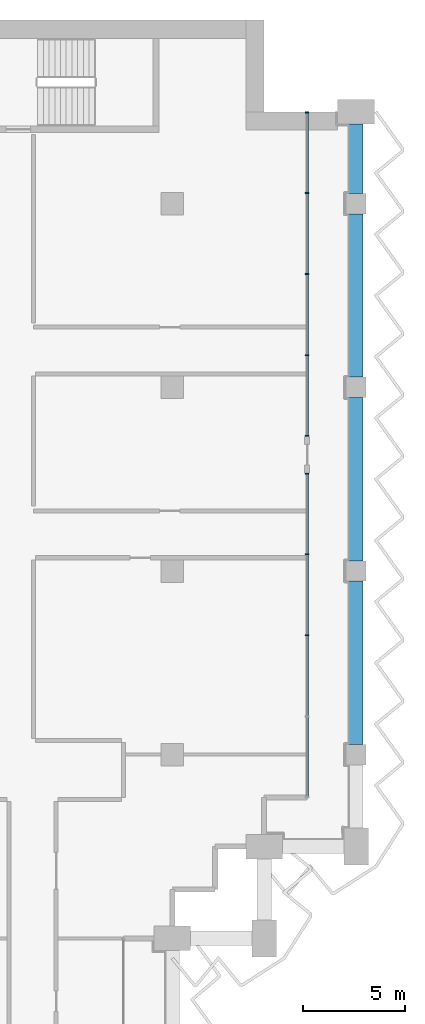
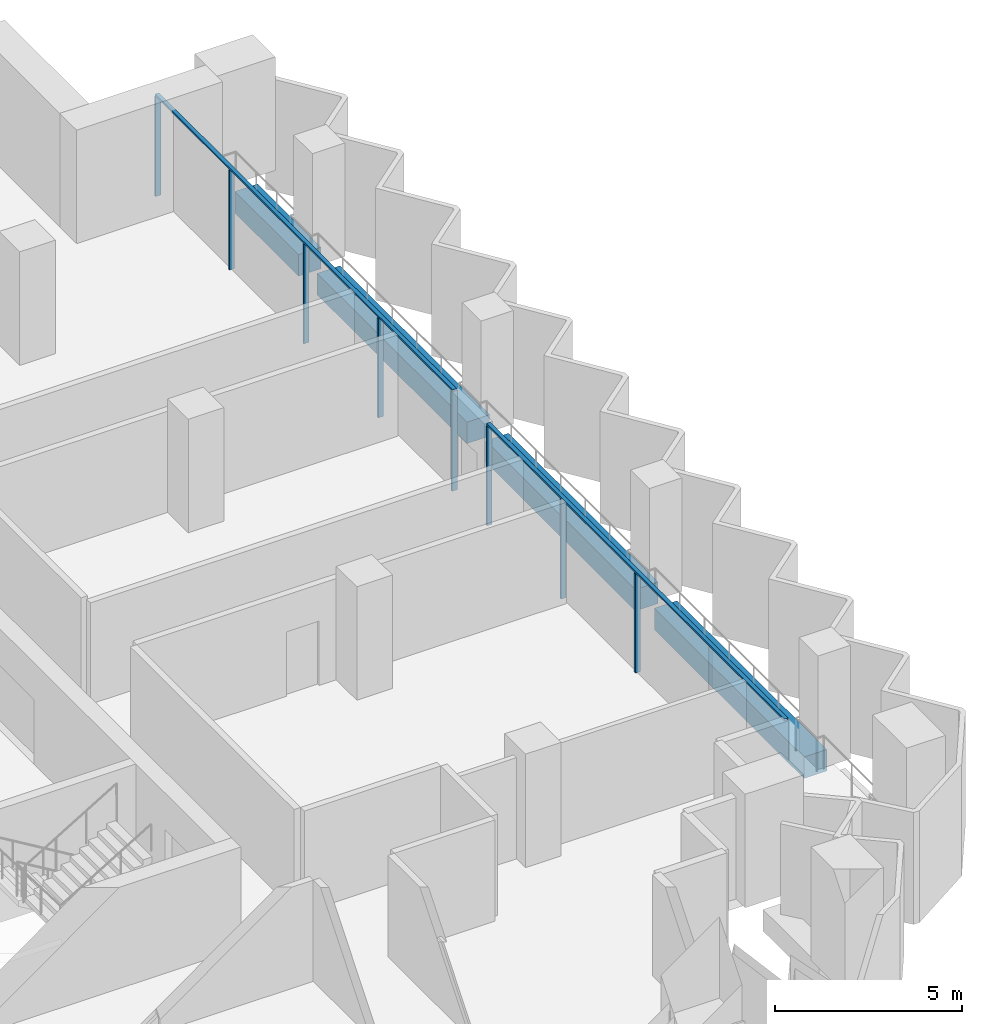
# One storey, part 5 of 17: 10 members, 4 beams, 2 elements without a shape of their own.
"""IFC4 building model written with IfcOpenShell, lengths in metres."""

from ifc_helpers import new_model, si_unit, direction, frame, origin, origin_2d, place, context, subcontext, project, spatial, rectangle, extrude, material, material_profile, profile_set, type_object, element, aggregate, save


model = new_model("IFC4")

# Units and contexts
model_context = context("Model", 3, precision=1e-05, world=origin(), true_north=direction((0.0, 1.0)))
body_context = subcontext(model_context, "Body", "Model", "MODEL_VIEW")
ifc_project = project(units=[si_unit("LENGTHUNIT", "METRE"), si_unit("AREAUNIT", "SQUARE_METRE"), si_unit("VOLUMEUNIT", "CUBIC_METRE"), si_unit("PLANEANGLEUNIT", "RADIAN"), si_unit("MASSUNIT", "GRAM", prefix="KILO")], contexts=[model_context])

# Site, building, storey
site_placement = place(None, origin())
site = spatial("IfcSite", under=ifc_project, at=site_placement, CompositionType="ELEMENT")
building_placement = place(site_placement, origin())
building = spatial("IfcBuilding", under=site, at=building_placement, Name="Hunhe Ridgeline Campus", CompositionType="ELEMENT")
storey_placement = place(building_placement, frame((0.0, 0.0, 201.300048828125)))
storey = spatial("IfcBuildingStorey", under=building, at=storey_placement, Name="L51", CompositionType="ELEMENT", Elevation=201.300048828125)

# Curtain wall, members
ifc_material_1 = material(Name="Aluminium 6063", Category="aluminium")
curtain_wall_type = type_object("IfcCurtainWallType", Name="Curtain wall CW-1", PredefinedType="NOTDEFINED", material=ifc_material_1)
curtain_wall_1_placement = place(storey_placement, origin())
curtain_wall_1 = element("IfcCurtainWall", 1, at=curtain_wall_1_placement, inside=storey, type_object=curtain_wall_type, Name="Curtain wall 12", PredefinedType="NOTDEFINED")
ifc_material_profile_1 = material_profile(ifc_material_1, rectangle(XDim=0.159912109375, YDim=0.06005859375, at=origin_2d()))
ifc_profile_set_1 = profile_set([ifc_material_profile_1], Name="Aluminium 6063")
member_type_1 = type_object("IfcMemberType", Name="CW-1 aluminium mullion", PredefinedType="MULLION", material=ifc_profile_set_1)
member_1_placement = place(storey_placement, frame((51.59912109375, 68.850830078125, 0.0), z_axis=(0.0, 0.0, 1.0), x_axis=(-1.0, 0.0, 0.0)))
member_1 = element("IfcMember", 2, at=member_1_placement, type_object=member_type_1, Name="CW-1 mullion 3", PredefinedType="MULLION", context=body_context, shape_type="SweptSolid", body=[
    extrude(rectangle(XDim=0.159912109375, YDim=0.06005859375, at=origin_2d()), origin(), (0.0, 0.0, 1.0), 3.239990234375),
])
member_2_placement = place(storey_placement, frame((51.59912109375, 72.82568359375, 0.0), z_axis=(0.0, 0.0, 1.0), x_axis=(-1.0, 0.0, 0.0)))
member_2 = element("IfcMember", 3, at=member_2_placement, type_object=member_type_1, Name="CW-1 mullion 4", PredefinedType="MULLION", context=body_context, shape_type="SweptSolid", body=[
    extrude(rectangle(XDim=0.159912109375, YDim=0.06005859375, at=origin_2d()), origin(), (0.0, 0.0, 1.0), 3.239990234375),
])
member_3_placement = place(storey_placement, frame((51.59912109375, 76.7705078125, 0.0), z_axis=(0.0, 0.0, 1.0), x_axis=(-1.0, 0.0, 0.0)))
member_3 = element("IfcMember", 4, at=member_3_placement, type_object=member_type_1, Name="CW-1 mullion 5", PredefinedType="MULLION", context=body_context, shape_type="SweptSolid", body=[
    extrude(rectangle(XDim=0.159912109375, YDim=0.06005859375, at=origin_2d()), origin(), (0.0, 0.0, 1.0), 3.239990234375),
])

curtain_wall_2_placement = place(storey_placement, origin())
curtain_wall_2 = element("IfcCurtainWall", 5, at=curtain_wall_2_placement, inside=storey, type_object=curtain_wall_type, Name="Curtain wall 13", PredefinedType="NOTDEFINED")
member_4_placement = place(storey_placement, frame((51.59912109375, 78.630615234375, 0.0), z_axis=(0.0, 0.0, 1.0), x_axis=(-1.0, 0.0, 0.0)))
member_4 = element("IfcMember", 6, at=member_4_placement, type_object=member_type_1, Name="CW-1 mullion 1", PredefinedType="MULLION", context=body_context, shape_type="SweptSolid", body=[
    extrude(rectangle(XDim=0.159912109375, YDim=0.06005859375, at=origin_2d()), origin(), (0.0, 0.0, 1.0), 3.239990234375),
])
member_5_placement = place(storey_placement, frame((51.59912109375, 82.575439453125, 0.0), z_axis=(0.0, 0.0, 1.0), x_axis=(-1.0, 0.0, 0.0)))
member_5 = element("IfcMember", 7, at=member_5_placement, type_object=member_type_1, Name="CW-1 mullion 2", PredefinedType="MULLION", context=body_context, shape_type="SweptSolid", body=[
    extrude(rectangle(XDim=0.159912109375, YDim=0.06005859375, at=origin_2d()), origin(), (0.0, 0.0, 1.0), 3.239990234375),
])
member_6_placement = place(storey_placement, frame((51.59912109375, 86.55029296875, 0.0), z_axis=(0.0, 0.0, 1.0), x_axis=(-1.0, 0.0, 0.0)))
member_6 = element("IfcMember", 8, at=member_6_placement, type_object=member_type_1, Name="CW-1 mullion 3", PredefinedType="MULLION", context=body_context, shape_type="SweptSolid", body=[
    extrude(rectangle(XDim=0.159912109375, YDim=0.06005859375, at=origin_2d()), origin(), (0.0, 0.0, 1.0), 3.239990234375),
])
member_7_placement = place(storey_placement, frame((51.59912109375, 90.525146484375, 0.0), z_axis=(0.0, 0.0, 1.0), x_axis=(-1.0, 0.0, 0.0)))
member_7 = element("IfcMember", 9, at=member_7_placement, type_object=member_type_1, Name="CW-1 mullion 4", PredefinedType="MULLION", context=body_context, shape_type="SweptSolid", body=[
    extrude(rectangle(XDim=0.159912109375, YDim=0.06005859375, at=origin_2d()), origin(), (0.0, 0.0, 1.0), 3.239990234375),
])
member_8_placement = place(storey_placement, frame((51.59912109375, 94.469970703125, 0.0), z_axis=(0.0, 0.0, 1.0), x_axis=(-1.0, 0.0, 0.0)))
member_8 = element("IfcMember", 10, at=member_8_placement, type_object=member_type_1, Name="CW-1 mullion 5", PredefinedType="MULLION", context=body_context, shape_type="SweptSolid", body=[
    extrude(rectangle(XDim=0.159912109375, YDim=0.06005859375, at=origin_2d()), origin(), (0.0, 0.0, 1.0), 3.239990234375),
])

# Member
ifc_material_profile_2 = material_profile(ifc_material_1, rectangle(XDim=0.1201171875, YDim=0.06005859375, at=origin_2d()))
ifc_profile_set_2 = profile_set([ifc_material_profile_2], Name="Aluminium 6063")
member_type_2 = type_object("IfcMemberType", Name="CW-1 aluminium transom", PredefinedType="USERDEFINED", material=ifc_profile_set_2)
member_9_placement = place(storey_placement, frame((51.59912109375, 60.90087890625, 3.27001953125), z_axis=(0.0, 1.0, 0.0), x_axis=(-1.0, 0.0, 0.0)))
member_9 = element("IfcMember", 11, at=member_9_placement, type_object=member_type_2, Name="CW-1 transom 1", ObjectType="TRANSOM", PredefinedType="USERDEFINED", context=body_context, shape_type="SweptSolid", body=[
    extrude(rectangle(XDim=0.1201171875, YDim=0.06005859375, at=origin_2d()), origin(), (0.0, 0.0, 1.0), 15.899658203125),
])

aggregate(curtain_wall_1, [member_9, member_1, member_2, member_3])

member_10_placement = place(storey_placement, frame((51.59912109375, 78.6005859375, 3.27001953125), z_axis=(0.0, 1.0, 0.0), x_axis=(-1.0, 0.0, 0.0)))
member_10 = element("IfcMember", 12, at=member_10_placement, type_object=member_type_2, Name="CW-1 transom 1", ObjectType="TRANSOM", PredefinedType="USERDEFINED", context=body_context, shape_type="SweptSolid", body=[
    extrude(rectangle(XDim=0.1201171875, YDim=0.06005859375, at=origin_2d()), origin(), (0.0, 0.0, 1.0), 15.8994140625),
])

aggregate(curtain_wall_2, [member_10, member_4, member_5, member_6, member_7, member_8])

# Beams
ifc_material_2 = material(Name="Concrete C50", Category="concrete")
ifc_material_profile_3 = material_profile(ifc_material_2, rectangle(XDim=0.699951171875, YDim=0.699951171875, at=origin_2d()))
ifc_profile_set_3 = profile_set([ifc_material_profile_3], Name="Concrete C50")
beam_type = type_object("IfcBeamType", Name="RC spandrel beam 700x700 Concrete C50", PredefinedType="SPANDREL", material=ifc_profile_set_3)
for number, where, z_axis, x_axis, name in (
    (13, (54.0, 63.5, -0.60009765625), (0.0, 1.0, 0.0), (-1.0, 0.0, 0.0), "Spandrel beam B3-15 L51"),
    (14, (54.0, 72.5, -0.60009765625), (0.0, 1.0, 0.0), (-1.0, 0.0, 0.0), "Spandrel beam B3-16 L51"),
    (15, (54.0, 81.5, -0.60009765625), (0.0, 1.0, 0.0), (-1.0, 0.0, 0.0), "Spandrel beam B3-17 L51"),
):
    element("IfcBeam", number, at=place(storey_placement, frame(where, z_axis=z_axis, x_axis=x_axis)), inside=storey, type_object=beam_type, Name=name, PredefinedType="SPANDREL", context=body_context, shape_type="SweptSolid", body=[
        extrude(rectangle(XDim=0.699951171875, YDim=0.699951171875, at=origin_2d()), origin(), (0.0, 0.0, 1.0), 8.0),
    ])
beam_placement = place(storey_placement, frame((54.0, 90.5, -0.60009765625), z_axis=(0.0, 1.0, 0.0), x_axis=(-1.0, 0.0, 0.0)))
element("IfcBeam", 16, at=beam_placement, inside=storey, type_object=beam_type, Name="Spandrel beam B3-18 L51", PredefinedType="SPANDREL", context=body_context, shape_type="SweptSolid", body=[
    extrude(rectangle(XDim=0.699951171875, YDim=0.699951171875, at=origin_2d()), origin(), (0.0, 0.0, 1.0), 3.39990234375),
])

save(model, "model.ifc")
